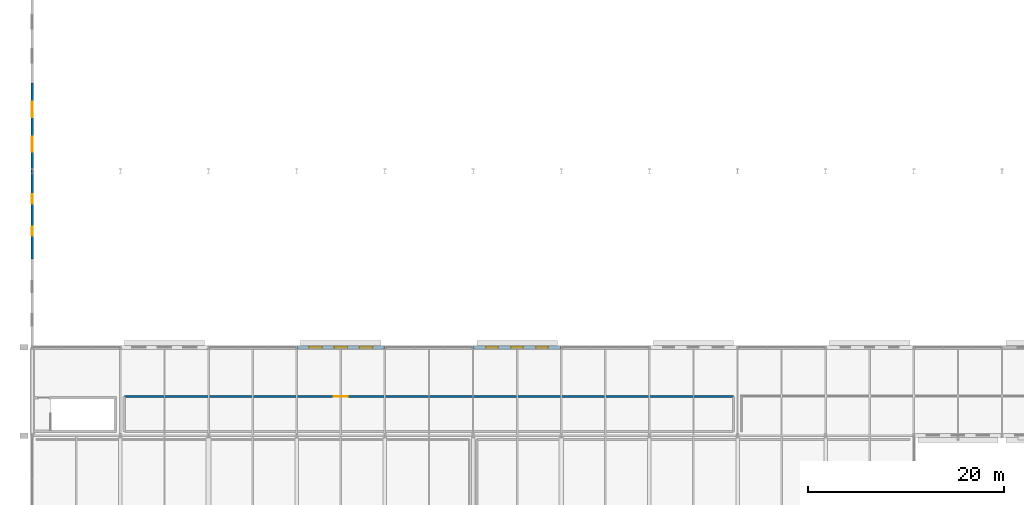
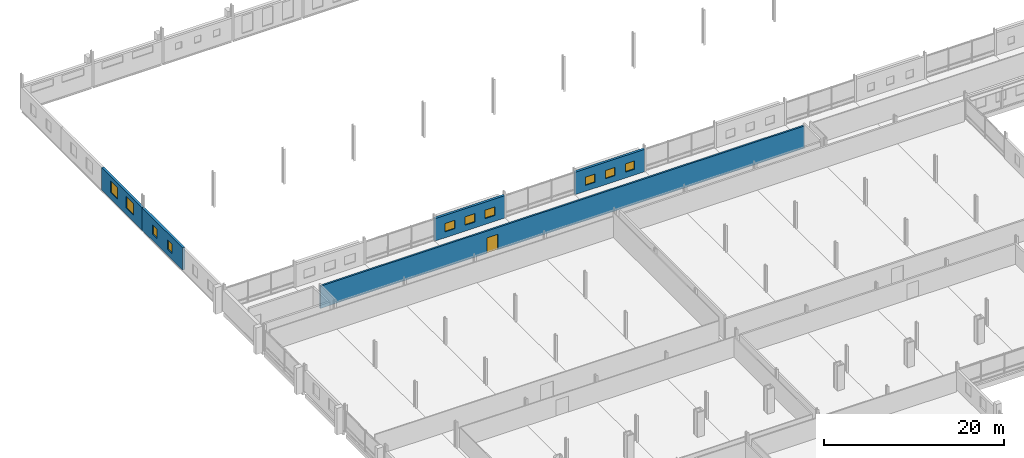
# One storey, part 107 of 132: 10 windows, 5 walls, 1 door, 11 openings.
"""IFC4 building model written with IfcOpenShell, lengths in metres."""

from ifc_helpers import new_model, si_unit, direction, frame, frame_2d, origin, place, context, subcontext, project, spatial, rectangle, extrude, material, layer, layer_set, type_object, element, fill, save


model = new_model("IFC4")

# Units and contexts
model_context = context("Model", 3, precision=1e-05, world=origin(), true_north=direction((0.0, 1.0)))
body_context = subcontext(model_context, "Body", "Model", "MODEL_VIEW")
ifc_project = project(units=[si_unit("LENGTHUNIT", "METRE"), si_unit("AREAUNIT", "SQUARE_METRE"), si_unit("VOLUMEUNIT", "CUBIC_METRE"), si_unit("PLANEANGLEUNIT", "RADIAN"), si_unit("MASSUNIT", "GRAM", prefix="KILO")], contexts=[model_context])

# Site, building, storey
site_placement = place(None, origin())
site = spatial("IfcSite", under=ifc_project, at=site_placement, CompositionType="ELEMENT")
building_placement = place(site_placement, origin())
building = spatial("IfcBuilding", under=site, at=building_placement, Name="Tharagai Park Tramway Depot", CompositionType="ELEMENT")
storey_placement = place(building_placement, frame((0.0, 0.0, 4.800048828125)))
storey = spatial("IfcBuildingStorey", under=building, at=storey_placement, Name="L01", CompositionType="ELEMENT", Elevation=4.800048828125)

# Wall, openings, windows
ifc_material_1 = material(Name="Pressed clay brick", Category="masonry")
ifc_layer_1 = layer(ifc_material_1, 0.300048828125)
ifc_layer_set_1 = layer_set([ifc_layer_1], Name="Pressed clay brick")
wall_type_1 = type_object("IfcWallType", Name="EW-08", PredefinedType="SOLIDWALL", material=ifc_layer_set_1)
wall_1_placement = place(storey_placement, frame((27.00390625, 99.0, 0.0), z_axis=(0.0, 0.0, 1.0), x_axis=(1.0, 0.0, 0.0)))
wall_1 = element("IfcWall", 1, at=wall_1_placement, inside=storey, type_object=wall_type_1, Name="L01 V1 Exterior Masonry Wall EW-08", PredefinedType="SOLIDWALL", context=body_context, shape_type="SweptSolid", body=[
    extrude(rectangle(XDim=8.9921875, YDim=0.300048828125, at=frame_2d((4.49609375, 0.0))), origin(), (0.0, 0.0, 1.0), 3.0419921875),
])
opening_1_placement = place(wall_1_placement, frame((1.258056640625, 0.0, 0.800048828125)))
opening_1 = element("IfcOpeningElement", 2, at=opening_1_placement, cuts=wall_1, Name="Opening WN-47", PredefinedType="OPENING", context=body_context, shape_type="SweptSolid", body=[
    extrude(rectangle(XDim=1.320068359375, YDim=1.139892578125, at=frame_2d((0.66015625, 0.56982421875))), frame((0.0, 0.159912109375, 0.0), z_axis=(0.0, -1.0, 0.0), x_axis=(1.0, 0.0, 0.0)), (0.0, 0.0, 1.0), 0.320068359375),
])
opening_2_placement = place(wall_1_placement, frame((3.8359375, 0.0, 0.800048828125)))
opening_2 = element("IfcOpeningElement", 3, at=opening_2_placement, cuts=wall_1, Name="Opening WN-47", PredefinedType="OPENING", context=body_context, shape_type="SweptSolid", body=[
    extrude(rectangle(XDim=1.320068359375, YDim=1.139892578125, at=frame_2d((0.66015625, 0.56982421875))), frame((0.0, 0.159912109375, 0.0), z_axis=(0.0, -1.0, 0.0), x_axis=(1.0, 0.0, 0.0)), (0.0, 0.0, 1.0), 0.320068359375),
])
opening_3_placement = place(wall_1_placement, frame((6.4140625, 0.0, 0.800048828125)))
opening_3 = element("IfcOpeningElement", 4, at=opening_3_placement, cuts=wall_1, Name="Opening WN-47", PredefinedType="OPENING", context=body_context, shape_type="SweptSolid", body=[
    extrude(rectangle(XDim=1.320068359375, YDim=1.139892578125, at=frame_2d((0.66015625, 0.56982421875))), frame((0.0, 0.159912109375, 0.0), z_axis=(0.0, -1.0, 0.0), x_axis=(1.0, 0.0, 0.0)), (0.0, 0.0, 1.0), 0.320068359375),
])
ifc_material_2 = material(Name="Laminated solar-control glass", Category="glass")
window_type_1 = type_object("IfcWindowType", Name="WN-47", PartitioningType="SINGLE_PANEL", PredefinedType="WINDOW", material=ifc_material_2)
window_1_placement = place(opening_1_placement, origin())
window_1 = element("IfcWindow", 5, at=window_1_placement, inside=storey, type_object=window_type_1, Name="L01 V1 Gothic Lancet Window WN-47", OverallHeight=1.139892578125, OverallWidth=1.320068359375, PartitioningType="SINGLE_PANEL", PredefinedType="WINDOW", context=body_context, shape_type="SweptSolid", body=[
    extrude(rectangle(XDim=1.320068359375, YDim=1.139892578125, at=frame_2d((0.66015625, 0.56982421875))), frame((0.0, 0.030029296875, 0.0), z_axis=(0.0, -1.0, 0.0), x_axis=(1.0, 0.0, 0.0)), (0.0, 0.0, 1.0), 0.06005859375),
])
fill(opening_1, window_1)
window_2_placement = place(opening_2_placement, origin())
window_2 = element("IfcWindow", 6, at=window_2_placement, inside=storey, type_object=window_type_1, Name="L01 V1 Gothic Lancet Window WN-47", OverallHeight=1.139892578125, OverallWidth=1.320068359375, PartitioningType="SINGLE_PANEL", PredefinedType="WINDOW", context=body_context, shape_type="SweptSolid", body=[
    extrude(rectangle(XDim=1.320068359375, YDim=1.139892578125, at=frame_2d((0.66015625, 0.56982421875))), frame((0.0, 0.030029296875, 0.0), z_axis=(0.0, -1.0, 0.0), x_axis=(1.0, 0.0, 0.0)), (0.0, 0.0, 1.0), 0.06005859375),
])
fill(opening_2, window_2)
window_3_placement = place(opening_3_placement, origin())
window_3 = element("IfcWindow", 7, at=window_3_placement, inside=storey, type_object=window_type_1, Name="L01 V1 Gothic Lancet Window WN-47", OverallHeight=1.139892578125, OverallWidth=1.320068359375, PartitioningType="SINGLE_PANEL", PredefinedType="WINDOW", context=body_context, shape_type="SweptSolid", body=[
    extrude(rectangle(XDim=1.320068359375, YDim=1.139892578125, at=frame_2d((0.66015625, 0.56982421875))), frame((0.0, 0.030029296875, 0.0), z_axis=(0.0, -1.0, 0.0), x_axis=(1.0, 0.0, 0.0)), (0.0, 0.0, 1.0), 0.06005859375),
])
fill(opening_3, window_3)

wall_2_placement = place(storey_placement, frame((45.00390625, 99.0, 0.0), z_axis=(0.0, 0.0, 1.0), x_axis=(1.0, 0.0, 0.0)))
wall_2 = element("IfcWall", 8, at=wall_2_placement, inside=storey, type_object=wall_type_1, Name="L01 V1 Exterior Masonry Wall EW-08", PredefinedType="SOLIDWALL", context=body_context, shape_type="SweptSolid", body=[
    extrude(rectangle(XDim=8.9921875, YDim=0.300048828125, at=frame_2d((4.49609375, 0.0))), origin(), (0.0, 0.0, 1.0), 3.0419921875),
])
opening_4_placement = place(wall_2_placement, frame((1.3330078125, 0.0, 0.800048828125)))
opening_4 = element("IfcOpeningElement", 9, at=opening_4_placement, cuts=wall_2, Name="Opening WN-32", PredefinedType="OPENING", context=body_context, shape_type="SweptSolid", body=[
    extrude(rectangle(XDim=1.219970703125, YDim=1.1201171875, at=frame_2d((0.60986328125, 0.56005859375))), frame((0.0, 0.159912109375, 0.0), z_axis=(0.0, -1.0, 0.0), x_axis=(1.0, 0.0, 0.0)), (0.0, 0.0, 1.0), 0.320068359375),
])
opening_5_placement = place(wall_2_placement, frame((3.885986328125, 0.0, 0.800048828125)))
opening_5 = element("IfcOpeningElement", 10, at=opening_5_placement, cuts=wall_2, Name="Opening WN-32", PredefinedType="OPENING", context=body_context, shape_type="SweptSolid", body=[
    extrude(rectangle(XDim=1.219970703125, YDim=1.1201171875, at=frame_2d((0.60986328125, 0.56005859375))), frame((0.0, 0.159912109375, 0.0), z_axis=(0.0, -1.0, 0.0), x_axis=(1.0, 0.0, 0.0)), (0.0, 0.0, 1.0), 0.320068359375),
])
opening_6_placement = place(wall_2_placement, frame((6.43896484375, 0.0, 0.800048828125)))
opening_6 = element("IfcOpeningElement", 11, at=opening_6_placement, cuts=wall_2, Name="Opening WN-32", PredefinedType="OPENING", context=body_context, shape_type="SweptSolid", body=[
    extrude(rectangle(XDim=1.219970703125, YDim=1.1201171875, at=frame_2d((0.60986328125, 0.56005859375))), frame((0.0, 0.159912109375, 0.0), z_axis=(0.0, -1.0, 0.0), x_axis=(1.0, 0.0, 0.0)), (0.0, 0.0, 1.0), 0.320068359375),
])
window_type_2 = type_object("IfcWindowType", Name="WN-32", PartitioningType="SINGLE_PANEL", PredefinedType="WINDOW", material=ifc_material_2)
window_4_placement = place(opening_4_placement, origin())
window_4 = element("IfcWindow", 12, at=window_4_placement, inside=storey, type_object=window_type_2, Name="L01 V1 Gothic Lancet Window WN-32", OverallHeight=1.1201171875, OverallWidth=1.219970703125, PartitioningType="SINGLE_PANEL", PredefinedType="WINDOW", context=body_context, shape_type="SweptSolid", body=[
    extrude(rectangle(XDim=1.219970703125, YDim=1.1201171875, at=frame_2d((0.60986328125, 0.56005859375))), frame((0.0, 0.030029296875, 0.0), z_axis=(0.0, -1.0, 0.0), x_axis=(1.0, 0.0, 0.0)), (0.0, 0.0, 1.0), 0.06005859375),
])
fill(opening_4, window_4)
window_5_placement = place(opening_5_placement, origin())
window_5 = element("IfcWindow", 13, at=window_5_placement, inside=storey, type_object=window_type_2, Name="L01 V1 Gothic Lancet Window WN-32", OverallHeight=1.1201171875, OverallWidth=1.219970703125, PartitioningType="SINGLE_PANEL", PredefinedType="WINDOW", context=body_context, shape_type="SweptSolid", body=[
    extrude(rectangle(XDim=1.219970703125, YDim=1.1201171875, at=frame_2d((0.60986328125, 0.56005859375))), frame((0.0, 0.030029296875, 0.0), z_axis=(0.0, -1.0, 0.0), x_axis=(1.0, 0.0, 0.0)), (0.0, 0.0, 1.0), 0.06005859375),
])
fill(opening_5, window_5)
window_6_placement = place(opening_6_placement, origin())
window_6 = element("IfcWindow", 14, at=window_6_placement, inside=storey, type_object=window_type_2, Name="L01 V1 Gothic Lancet Window WN-32", OverallHeight=1.1201171875, OverallWidth=1.219970703125, PartitioningType="SINGLE_PANEL", PredefinedType="WINDOW", context=body_context, shape_type="SweptSolid", body=[
    extrude(rectangle(XDim=1.219970703125, YDim=1.1201171875, at=frame_2d((0.60986328125, 0.56005859375))), frame((0.0, 0.030029296875, 0.0), z_axis=(0.0, -1.0, 0.0), x_axis=(1.0, 0.0, 0.0)), (0.0, 0.0, 1.0), 0.06005859375),
])
fill(opening_6, window_6)

wall_3_placement = place(storey_placement, frame((0.0, 108.0, 0.0), z_axis=(0.0, 0.0, 1.0), x_axis=(0.0, 1.0, 0.0)))
wall_3 = element("IfcWall", 15, at=wall_3_placement, inside=storey, type_object=wall_type_1, Name="L01 V1 Exterior Masonry Wall EW-08", PredefinedType="SOLIDWALL", context=body_context, shape_type="SweptSolid", body=[
    extrude(rectangle(XDim=8.99609375, YDim=0.300048828125, at=frame_2d((4.498046875, 0.0))), origin(), (0.0, 0.0, 1.0), 3.0419921875),
])
opening_7_placement = place(wall_3_placement, frame((2.3720703125, 0.0, 0.85009765625)))
opening_7 = element("IfcOpeningElement", 16, at=opening_7_placement, cuts=wall_3, Name="Opening WN-45", PredefinedType="OPENING", context=body_context, shape_type="SweptSolid", body=[
    extrude(rectangle(XDim=0.93994140625, YDim=1.280029296875, at=frame_2d((0.469970703125, 0.64013671875))), frame((0.0, 0.159912109375, 0.0), z_axis=(0.0, -1.0, 0.0), x_axis=(1.0, 0.0, 0.0)), (0.0, 0.0, 1.0), 0.320068359375),
])
opening_8_placement = place(wall_3_placement, frame((5.68408203125, 0.0, 0.85009765625)))
opening_8 = element("IfcOpeningElement", 17, at=opening_8_placement, cuts=wall_3, Name="Opening WN-45", PredefinedType="OPENING", context=body_context, shape_type="SweptSolid", body=[
    extrude(rectangle(XDim=0.93994140625, YDim=1.280029296875, at=frame_2d((0.469970703125, 0.64013671875))), frame((0.0, 0.159912109375, 0.0), z_axis=(0.0, -1.0, 0.0), x_axis=(1.0, 0.0, 0.0)), (0.0, 0.0, 1.0), 0.320068359375),
])
window_type_3 = type_object("IfcWindowType", Name="WN-45", PartitioningType="SINGLE_PANEL", PredefinedType="WINDOW", material=ifc_material_2)
window_7_placement = place(opening_7_placement, origin())
window_7 = element("IfcWindow", 18, at=window_7_placement, inside=storey, type_object=window_type_3, Name="L01 V1 Side Lancet Window WN-45", OverallHeight=1.280029296875, OverallWidth=0.93994140625, PartitioningType="SINGLE_PANEL", PredefinedType="WINDOW", context=body_context, shape_type="SweptSolid", body=[
    extrude(rectangle(XDim=0.93994140625, YDim=1.280029296875, at=frame_2d((0.469970703125, 0.64013671875))), frame((0.0, 0.030029296875, 0.0), z_axis=(0.0, -1.0, 0.0), x_axis=(1.0, 0.0, 0.0)), (0.0, 0.0, 1.0), 0.06005859375),
])
fill(opening_7, window_7)
window_8_placement = place(opening_8_placement, origin())
window_8 = element("IfcWindow", 19, at=window_8_placement, inside=storey, type_object=window_type_3, Name="L01 V1 Side Lancet Window WN-45", OverallHeight=1.280029296875, OverallWidth=0.93994140625, PartitioningType="SINGLE_PANEL", PredefinedType="WINDOW", context=body_context, shape_type="SweptSolid", body=[
    extrude(rectangle(XDim=0.93994140625, YDim=1.280029296875, at=frame_2d((0.469970703125, 0.64013671875))), frame((0.0, 0.030029296875, 0.0), z_axis=(0.0, -1.0, 0.0), x_axis=(1.0, 0.0, 0.0)), (0.0, 0.0, 1.0), 0.06005859375),
])
fill(opening_8, window_8)

wall_4_placement = place(storey_placement, frame((0.0, 117.00390625, 0.0), z_axis=(0.0, 0.0, 1.0), x_axis=(0.0, 1.0, 0.0)))
wall_4 = element("IfcWall", 20, at=wall_4_placement, inside=storey, type_object=wall_type_1, Name="L01 V1 Exterior Masonry Wall EW-08", PredefinedType="SOLIDWALL", context=body_context, shape_type="SweptSolid", body=[
    extrude(rectangle(XDim=8.99609375, YDim=0.300048828125, at=frame_2d((4.498046875, 0.0))), origin(), (0.0, 0.0, 1.0), 3.0419921875),
])
opening_9_placement = place(wall_4_placement, frame((1.945068359375, 0.0, 0.85009765625)))
opening_9 = element("IfcOpeningElement", 21, at=opening_9_placement, cuts=wall_4, Name="Opening WN-33", PredefinedType="OPENING", context=body_context, shape_type="SweptSolid", body=[
    extrude(rectangle(XDim=1.580078125, YDim=1.60009765625, at=frame_2d((0.7900390625, 0.800048828125))), frame((0.0, 0.159912109375, 0.0), z_axis=(0.0, -1.0, 0.0), x_axis=(1.0, 0.0, 0.0)), (0.0, 0.0, 1.0), 0.320068359375),
])
opening_10_placement = place(wall_4_placement, frame((5.470947265625, 0.0, 0.85009765625)))
opening_10 = element("IfcOpeningElement", 22, at=opening_10_placement, cuts=wall_4, Name="Opening WN-33", PredefinedType="OPENING", context=body_context, shape_type="SweptSolid", body=[
    extrude(rectangle(XDim=1.580078125, YDim=1.60009765625, at=frame_2d((0.7900390625, 0.800048828125))), frame((0.0, 0.159912109375, 0.0), z_axis=(0.0, -1.0, 0.0), x_axis=(1.0, 0.0, 0.0)), (0.0, 0.0, 1.0), 0.320068359375),
])
window_type_4 = type_object("IfcWindowType", Name="WN-33", PartitioningType="SINGLE_PANEL", PredefinedType="WINDOW", material=ifc_material_2)
window_9_placement = place(opening_9_placement, origin())
window_9 = element("IfcWindow", 23, at=window_9_placement, inside=storey, type_object=window_type_4, Name="L01 V1 Side Lancet Window WN-33", OverallHeight=1.60009765625, OverallWidth=1.580078125, PartitioningType="SINGLE_PANEL", PredefinedType="WINDOW", context=body_context, shape_type="SweptSolid", body=[
    extrude(rectangle(XDim=1.580078125, YDim=1.60009765625, at=frame_2d((0.7900390625, 0.800048828125))), frame((0.0, 0.030029296875, 0.0), z_axis=(0.0, -1.0, 0.0), x_axis=(1.0, 0.0, 0.0)), (0.0, 0.0, 1.0), 0.06005859375),
])
fill(opening_9, window_9)
window_10_placement = place(opening_10_placement, origin())
window_10 = element("IfcWindow", 24, at=window_10_placement, inside=storey, type_object=window_type_4, Name="L01 V1 Side Lancet Window WN-33", OverallHeight=1.60009765625, OverallWidth=1.580078125, PartitioningType="SINGLE_PANEL", PredefinedType="WINDOW", context=body_context, shape_type="SweptSolid", body=[
    extrude(rectangle(XDim=1.580078125, YDim=1.60009765625, at=frame_2d((0.7900390625, 0.800048828125))), frame((0.0, 0.030029296875, 0.0), z_axis=(0.0, -1.0, 0.0), x_axis=(1.0, 0.0, 0.0)), (0.0, 0.0, 1.0), 0.06005859375),
])
fill(opening_10, window_10)

# Wall, opening, door
ifc_layer_2 = layer(ifc_material_1, 0.219970703125)
ifc_layer_set_2 = layer_set([ifc_layer_2], Name="Pressed clay brick")
wall_type_2 = type_object("IfcWallType", Name="IW-05", PredefinedType="SOLIDWALL", material=ifc_layer_set_2)
wall_5_placement = place(storey_placement, frame((9.39990234375, 94.0, 0.0), z_axis=(0.0, 0.0, 1.0), x_axis=(1.0, 0.0, 0.0)))
wall_5 = element("IfcWall", 25, at=wall_5_placement, inside=storey, type_object=wall_type_2, Name="DC Opportunity Charger Gallery West Partition North", PredefinedType="SOLIDWALL", context=body_context, shape_type="SweptSolid", body=[
    extrude(rectangle(XDim=62.2001953125, YDim=0.219970703125, at=frame_2d((31.10009765625, 0.0))), origin(), (0.0, 0.0, 1.0), 3.044921875),
])
opening_11_placement = place(wall_5_placement, frame((21.389892578125, 0.0, 0.0)))
opening_11 = element("IfcOpeningElement", 26, at=opening_11_placement, cuts=wall_5, Name="Opening ID-06", PredefinedType="OPENING", context=body_context, shape_type="SweptSolid", body=[
    extrude(rectangle(XDim=1.419921875, YDim=2.1201171875, at=frame_2d((0.7099609375, 1.06005859375))), frame((0.0, 0.119873046875, 0.0), z_axis=(0.0, -1.0, 0.0), x_axis=(1.0, 0.0, 0.0)), (0.0, 0.0, 1.0), 0.239990234375),
])
ifc_material_3 = material(Name="Galvanised steel", Category="steel")
door_type = type_object("IfcDoorType", Name="ID-06", OperationType="DOUBLE_SWING_LEFT", PredefinedType="DOOR", material=ifc_material_3)
door_placement = place(opening_11_placement, origin())
door = element("IfcDoor", 27, at=door_placement, inside=storey, type_object=door_type, Name="DC Opportunity Charger Gallery West Door", OperationType="DOUBLE_SWING_LEFT", OverallHeight=2.1201171875, OverallWidth=1.419921875, PredefinedType="DOOR", context=body_context, shape_type="SweptSolid", body=[
    extrude(rectangle(XDim=1.419921875, YDim=2.1201171875, at=frame_2d((0.7099609375, 1.06005859375))), frame((0.0, 0.02490234375, 0.0), z_axis=(0.0, -1.0, 0.0), x_axis=(1.0, 0.0, 0.0)), (0.0, 0.0, 1.0), 0.050048828125),
])
fill(opening_11, door)

save(model, "model.ifc")
